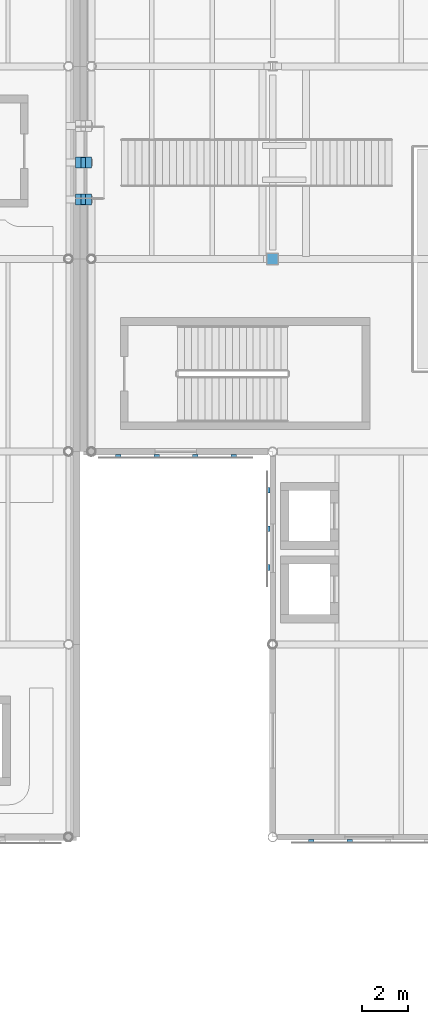
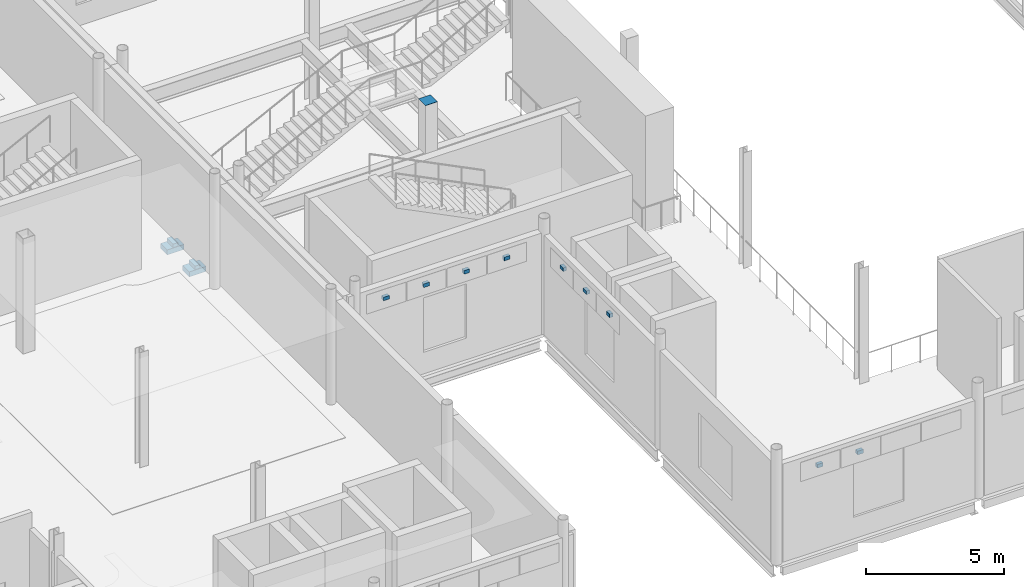
# One storey, part 77 of 104: 14 discrete accessories.
"""IFC4 building model written with IfcOpenShell, lengths in metres."""

from ifc_helpers import new_model, si_unit, direction, frame, origin, origin_2d, place, context, subcontext, project, spatial, rectangle, extrude, material, type_object, element, save


model = new_model("IFC4")

# Units and contexts
model_context = context("Model", 3, precision=1e-05, world=origin(), true_north=direction((0.0, 1.0)))
body_context = subcontext(model_context, "Body", "Model", "MODEL_VIEW")
ifc_project = project(units=[si_unit("LENGTHUNIT", "METRE"), si_unit("AREAUNIT", "SQUARE_METRE"), si_unit("VOLUMEUNIT", "CUBIC_METRE"), si_unit("PLANEANGLEUNIT", "RADIAN"), si_unit("MASSUNIT", "GRAM", prefix="KILO"), si_unit("THERMODYNAMICTEMPERATUREUNIT", "KELVIN")], contexts=[model_context])

# Site, building, storey
site_placement = place(None, origin())
site = spatial("IfcSite", under=ifc_project, at=site_placement, CompositionType="ELEMENT")
building_placement = place(site_placement, origin())
building = spatial("IfcBuilding", under=site, at=building_placement, Name="Lustrewick Department Store", CompositionType="ELEMENT")
storey_placement = place(building_placement, frame((0.0, 0.0, 11.39990234375)))
storey = spatial("IfcBuildingStorey", under=building, at=storey_placement, Name="L03", CompositionType="ELEMENT", Elevation=11.39990234375)

# Discrete accessories
ifc_material_1 = material(Name="Anodized filigree aluminium 6061-T6", Category="aluminium")
discrete_accessory_type_1 = type_object("IfcDiscreteAccessoryType", Name="BRK-FIL", PredefinedType="BRACKET", material=ifc_material_1)
for number, where, z_axis, x_axis, name in (
    (1, (68.8798828125, 41.820068359375, 3.7509765625), (0.0, 0.0, 1.0), (1.0, 0.0, 0.0), "L03 Filigree Stand-Off Bracket 0281"),
    (2, (70.56005859375, 41.820068359375, 3.7509765625), (0.0, 0.0, 1.0), (1.0, 0.0, 0.0), "L03 Filigree Stand-Off Bracket 0282"),
    (3, (60.4560546875, 58.60009765625, 3.9072265625), (0.0, 0.0, 1.0), (1.0, 0.0, 0.0), "L03 Filigree Stand-Off Bracket 0354"),
    (4, (62.135986328125, 58.60009765625, 3.9072265625), (0.0, 0.0, 1.0), (1.0, 0.0, 0.0), "L03 Filigree Stand-Off Bracket 0355"),
    (5, (63.81591796875, 58.60009765625, 3.9072265625), (0.0, 0.0, 1.0), (1.0, 0.0, 0.0), "L03 Filigree Stand-Off Bracket 0356"),
    (6, (65.49609375, 58.60009765625, 3.9072265625), (0.0, 0.0, 1.0), (1.0, 0.0, 0.0), "L03 Filigree Stand-Off Bracket 0357"),
    (7, (67.02001953125, 57.11279296875, 3.8173828125), (0.0, 0.0, 1.0), (0.0, -1.0, 0.0), "L03 Filigree Stand-Off Bracket 0358"),
    (8, (67.02001953125, 55.4326171875, 3.8173828125), (0.0, 0.0, 1.0), (0.0, -1.0, 0.0), "L03 Filigree Stand-Off Bracket 0359"),
    (9, (67.02001953125, 53.752685546875, 3.8173828125), (0.0, 0.0, 1.0), (0.0, -1.0, 0.0), "L03 Filigree Stand-Off Bracket 0360"),
):
    element("IfcDiscreteAccessory", number, at=place(storey_placement, frame(where, z_axis=z_axis, x_axis=x_axis)), inside=storey, type_object=discrete_accessory_type_1, Name=name, PredefinedType="BRACKET", context=body_context, shape_type="SweptSolid", body=[
        extrude(rectangle(XDim=0.239990234375, YDim=0.139892578125, at=origin_2d()), origin(), (0.0, 0.0, 1.0), 0.159912109375),
    ])
ifc_material_2 = material(Name="Structural steel Q355C", Category="steel")
discrete_accessory_type_2 = type_object("IfcDiscreteAccessoryType", Name="SB-CORBEL", PredefinedType="BRACKET", material=ifc_material_2)
for number, where, z_axis, x_axis, name in (
    (10, (58.949951171875, 69.800048828125, -1.11279296875), (0.0, 0.0, 1.0), (1.0, 0.0, 0.0), "L03 Skybridge SB12 700 mm Bearing Seat Corbel 1"),
    (11, (58.949951171875, 71.39990234375, -1.11279296875), (0.0, 0.0, 1.0), (1.0, 0.0, 0.0), "L03 Skybridge SB12 700 mm Bearing Seat Corbel 2"),
):
    element("IfcDiscreteAccessory", number, at=place(storey_placement, frame(where, z_axis=z_axis, x_axis=x_axis)), inside=storey, type_object=discrete_accessory_type_2, Name=name, PredefinedType="BRACKET", context=body_context, shape_type="SweptSolid", body=[
        extrude(rectangle(XDim=0.699951171875, YDim=0.47998046875, at=origin_2d()), origin(), (0.0, 0.0, 1.0), 0.219970703125),
    ])
discrete_accessory_type_3 = type_object("IfcDiscreteAccessoryType", Name="SB-PTFE", PredefinedType="BRACKET", material=ifc_material_2)
for number, where, z_axis, x_axis, name in (
    (12, (58.949951171875, 69.800048828125, -0.89306640625), (0.0, 0.0, 1.0), (1.0, 0.0, 0.0), "L03 Skybridge SB12 PTFE Sliding Bearing 1"),
    (13, (58.949951171875, 71.39990234375, -0.89306640625), (0.0, 0.0, 1.0), (1.0, 0.0, 0.0), "L03 Skybridge SB12 PTFE Sliding Bearing 2"),
):
    element("IfcDiscreteAccessory", number, at=place(storey_placement, frame(where, z_axis=z_axis, x_axis=x_axis)), inside=storey, type_object=discrete_accessory_type_3, Name=name, PredefinedType="BRACKET", context=body_context, shape_type="SweptSolid", body=[
        extrude(rectangle(XDim=0.199951171875, YDim=0.449951171875, at=origin_2d()), origin(), (0.0, 0.0, 1.0), 0.159912109375),
    ])
discrete_accessory_type_4 = type_object("IfcDiscreteAccessoryType", Name="ECP-01", PredefinedType="USERDEFINED", material=ifc_material_2)
discrete_accessory_placement = place(storey_placement, frame((67.199951171875, 67.199951171875, 5.093994140625), z_axis=(0.0, 0.0, 1.0), x_axis=(1.0, 0.0, 0.0)))
element("IfcDiscreteAccessory", 14, at=discrete_accessory_placement, inside=storey, type_object=discrete_accessory_type_4, Name="L03 Welded Hollow-Section End-Cap Plate ECP-01", ObjectType="END_CAP_PLATE", PredefinedType="USERDEFINED", context=body_context, shape_type="SweptSolid", body=[
    extrude(rectangle(XDim=0.5, YDim=0.5, at=origin_2d()), origin(), (0.0, 0.0, 1.0), 0.01611328125),
])

save(model, "model.ifc")
